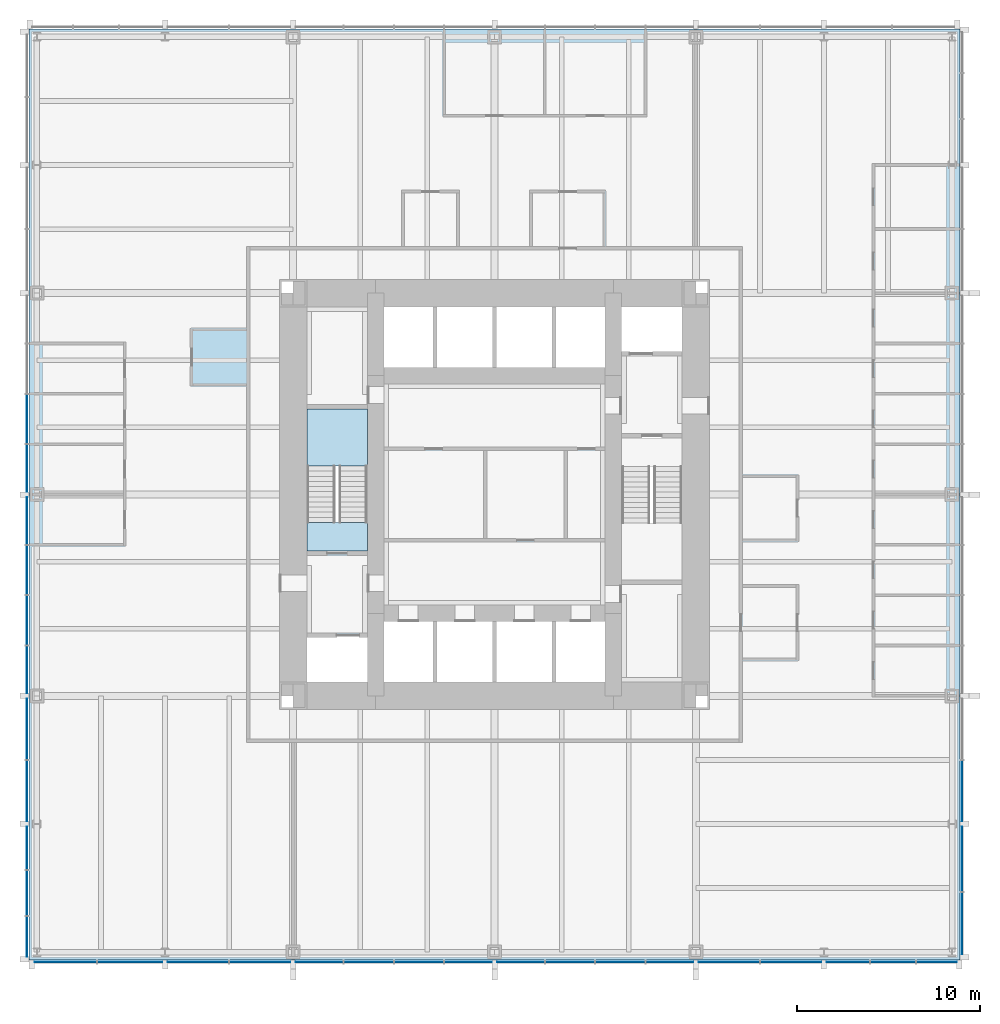
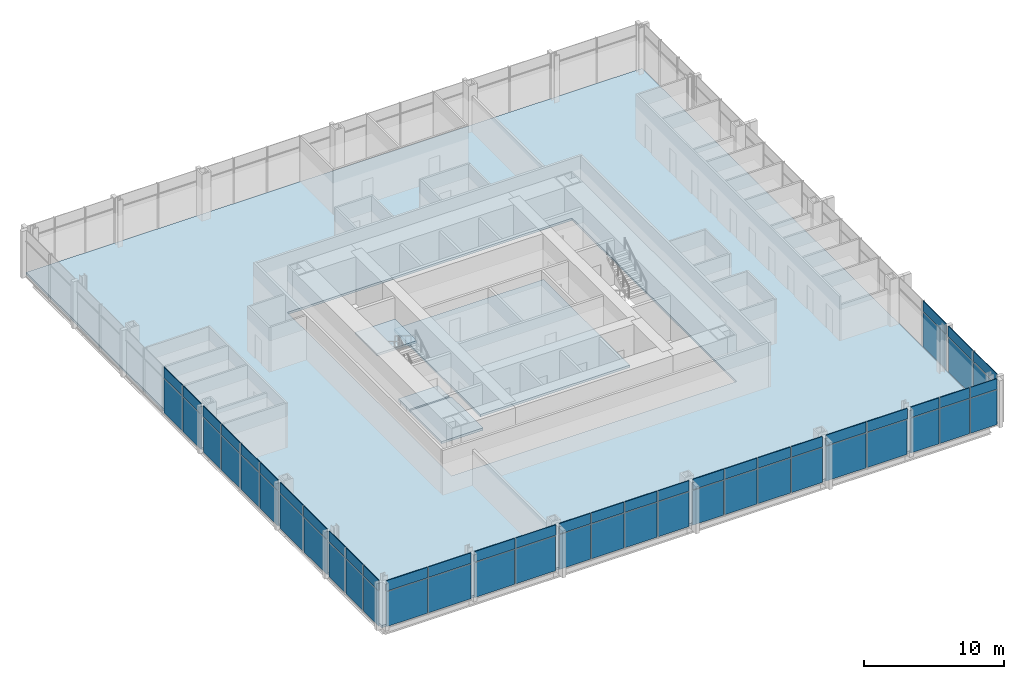
# One storey, part 7 of 12: 62 plates, 5 slabs, 4 elements without a shape of their own.
"""IFC4 building model written with IfcOpenShell, lengths in metres."""

import ifcopenshell
import ifcopenshell.guid

model = None  # the IFC model being written
_history = None  # IfcOwnerHistory: only IFC2X3 demands one
_inside = {}  # id of a spatial element -> (the spatial element, [elements in it])
_under = {}  # id of a project, library or spatial element -> (it, [spatial elements below it])
_declared = {}  # id of a project -> (the project, [libraries it declares])
_typed = {}  # id of a type object -> (the type object, [elements of that type])
_made_of = {}  # id of a material, layer set ... -> (it, [elements and type objects made of it])


def new_model(schema):
    """Start an empty IFC model of exactly this schema.

    Asked for "IFC4X3", IfcOpenShell would pick the latest addendum, in which some entities
    have other attributes; the version numbers below select the first issue.
    IFC2X3 requires an IfcOwnerHistory on every rooted entity: one is made here for all.
    """
    global model, _history
    if schema == "IFC4X3":
        model = ifcopenshell.file(schema_version=(4, 3, 0, 0))
    else:
        model = ifcopenshell.file(schema=schema)
    _inside.clear()
    _under.clear()
    _declared.clear()
    _typed.clear()
    _made_of.clear()
    _history = None
    if model.schema == "IFC2X3":
        org = make("IfcOrganization", Name="unknown")
        user = make(
            "IfcPersonAndOrganization",
            ThePerson=make("IfcPerson", FamilyName="unknown"),
            TheOrganization=org,
        )
        app = make(
            "IfcApplication",
            ApplicationDeveloper=org,
            Version="unknown",
            ApplicationFullName="unknown",
            ApplicationIdentifier="unknown",
        )
        _history = make(
            "IfcOwnerHistory",
            OwningUser=user,
            OwningApplication=app,
            ChangeAction="ADDED",
            CreationDate=0,
        )
    return model


def make(cls, **values):
    """One entity of the class cls with the attributes given. An attribute that is None is left unset."""
    return model.create_entity(
        cls, **{name: value for name, value in values.items() if value is not None}
    )


def rooted(cls, **values):
    """An entity with a GlobalId (a new one), such as an element, a storey or a relation."""
    return make(cls, GlobalId=ifcopenshell.guid.new(), OwnerHistory=_history, **values)


def si_unit(unit_type, name, prefix=None):
    """IfcSIUnit, for example si_unit("LENGTHUNIT", "METRE", prefix="MILLI")."""
    return make("IfcSIUnit", UnitType=unit_type, Prefix=prefix, Name=name)


def assignment(units):
    """IfcUnitAssignment: the units of a project."""
    return None if units is None else make("IfcUnitAssignment", Units=units)


def point(xyz):
    """IfcCartesianPoint."""
    return None if xyz is None else make("IfcCartesianPoint", Coordinates=xyz)


def direction(xyz):
    """IfcDirection."""
    return None if xyz is None else make("IfcDirection", DirectionRatios=xyz)


def frame(location, z_axis=None, x_axis=None):
    """IfcAxis2Placement3D, a coordinate frame: its origin and axes. An axis left out is left unset."""
    return make(
        "IfcAxis2Placement3D",
        Location=point(location),
        Axis=direction(z_axis),
        RefDirection=direction(x_axis),
    )


def frame_2d(location, x_axis=None):
    """IfcAxis2Placement2D, a coordinate frame in the plane: its origin and x axis."""
    return make(
        "IfcAxis2Placement2D", Location=point(location), RefDirection=direction(x_axis)
    )


def origin():
    """The frame at (0, 0, 0) with its axes left unset."""
    return frame((0.0, 0.0, 0.0))


def origin_2d():
    """The frame at (0, 0) in the plane with its x axis left unset."""
    return frame_2d((0.0, 0.0))


def place(relative_to, where):
    """IfcLocalPlacement: puts the frame where relative to a parent placement (None: the world)."""
    return make(
        "IfcLocalPlacement", PlacementRelTo=relative_to, RelativePlacement=where
    )


def context(
    kind, dimensions, precision=None, world=None, true_north=None, identifier=None
):
    """IfcGeometricRepresentationContext, for example the 3D "Model" context."""
    return make(
        "IfcGeometricRepresentationContext",
        ContextIdentifier=identifier,
        ContextType=kind,
        CoordinateSpaceDimension=dimensions,
        Precision=precision,
        WorldCoordinateSystem=world,
        TrueNorth=true_north,
    )


def subcontext(parent, identifier, kind, view, scale=None):
    """IfcGeometricRepresentationSubContext, for example "Body" below "Model"."""
    return make(
        "IfcGeometricRepresentationSubContext",
        ContextIdentifier=identifier,
        ContextType=kind,
        ParentContext=parent,
        TargetScale=scale,
        TargetView=view,
    )


def project(units=None, contexts=None):
    """IfcProject with its units and contexts."""
    return rooted(
        "IfcProject",
        Name="project",
        RepresentationContexts=contexts,
        UnitsInContext=assignment(units),
    )


def spatial(cls, under=None, at=None, **own):
    """A site, building, storey or space (cls), placed at a placement, below another one or the project."""
    s = rooted(cls, ObjectPlacement=at, **own)
    if under is not None:
        _under.setdefault(under.id(), (under, []))[1].append(s)
    return s


def polyline(points):
    """IfcPolyline through the points."""
    return make("IfcPolyline", Points=[point(p) for p in points])


def profile(cls, at=None, kind="AREA", **sizes):
    """A parametric profile (cls). Its sizes go by their IFC names, for example OverallWidth=200.0."""
    return make(cls, ProfileType=kind, Position=at, **sizes)


def rectangle(**sizes):
    """IfcRectangleProfileDef."""
    return profile("IfcRectangleProfileDef", **sizes)


def outline(outer, holes=None, kind="AREA"):
    """IfcArbitraryClosedProfileDef: a profile drawn as a closed curve; with holes, ...WithVoids."""
    if holes is None:
        return make("IfcArbitraryClosedProfileDef", ProfileType=kind, OuterCurve=outer)
    return make(
        "IfcArbitraryProfileDefWithVoids",
        ProfileType=kind,
        OuterCurve=outer,
        InnerCurves=holes,
    )


def extrude(swept, where, along, depth):
    """IfcExtrudedAreaSolid: the profile swept, set in the frame where, extruded along a direction by depth."""
    return make(
        "IfcExtrudedAreaSolid",
        SweptArea=swept,
        Position=where,
        ExtrudedDirection=direction(along),
        Depth=depth,
    )


def shape(context_of_items, identifier, shape_type, items):
    """IfcShapeRepresentation: the items that make up one representation, for example the "Body"."""
    return make(
        "IfcShapeRepresentation",
        ContextOfItems=context_of_items,
        RepresentationIdentifier=identifier,
        RepresentationType=shape_type,
        Items=items,
    )


def material(Name=None, Category=None):
    """IfcMaterial."""
    return make("IfcMaterial", Name=Name, Category=Category)


def layer(
    of_material, thickness, ventilated=None, Name=None, Category=None, Priority=None
):
    """IfcMaterialLayer: one layer of a wall or slab, of a material (None: an air gap)."""
    return make(
        "IfcMaterialLayer",
        Material=of_material,
        LayerThickness=thickness,
        IsVentilated=ventilated,
        Name=Name,
        Category=Category,
        Priority=Priority,
    )


def layer_set(layers, Name=None):
    """IfcMaterialLayerSet."""
    return make("IfcMaterialLayerSet", MaterialLayers=layers, LayerSetName=Name)


def made_of(thing, what):
    """Note that an element or type object is made of a material, layer set ...; save() writes the relation."""
    if what is not None:
        _made_of.setdefault(what.id(), (what, []))[1].append(thing)
    return thing


def type_object(cls, material=None, **own):
    """A type object (cls), such as IfcWallType, which elements share."""
    return made_of(rooted(cls, **own), material)


def element(
    cls,
    number,
    at=None,
    inside=None,
    cuts=None,
    type_object=None,
    material=None,
    context=None,
    identifier="Body",
    shape_type=None,
    held_by="IfcProductDefinitionShape",
    body=None,
    shapes=None,
    **own,
):
    """One element of the class cls, such as IfcWall. Its Tag is "e" and its number.

    at: its placement. inside: the storey or other place that contains it. cuts: it is an
    opening in that element (IfcRelVoidsElement). A single representation is given by context,
    identifier, shape_type and body (its items); several are given by shapes. held_by: the class
    of the entity that holds the representations. save() writes the other relations.
    """
    e = rooted(cls, Tag="e%d" % number, ObjectPlacement=at, **own)
    if body is not None:
        shapes = [shape(context, identifier, shape_type, body)]
    if shapes is not None:
        e.Representation = make(held_by, Representations=shapes)
    if inside is not None:
        _inside.setdefault(inside.id(), (inside, []))[1].append(e)
    if cuts is not None:
        rooted(
            "IfcRelVoidsElement", RelatingBuildingElement=cuts, RelatedOpeningElement=e
        )
    if type_object is not None:
        _typed.setdefault(type_object.id(), (type_object, []))[1].append(e)
    return made_of(e, material)


def aggregate(whole, parts):
    """IfcRelAggregates: a whole, such as a stair, and the parts it consists of."""
    return rooted("IfcRelAggregates", RelatingObject=whole, RelatedObjects=parts)


def save(model, path):
    """Write the relations noted so far, then the file.

    IfcRelAggregates (storeys below a building ...), IfcRelContainedInSpatialStructure (elements
    in a storey), IfcRelDefinesByType, IfcRelAssociatesMaterial and IfcRelDeclares: one each for
    every whole, place, type object, material and project.
    """
    for whole, parts in _under.values():
        aggregate(whole, parts)
    for where, things in _inside.values():
        rooted(
            "IfcRelContainedInSpatialStructure",
            RelatedElements=things,
            RelatingStructure=where,
        )
    for kind, things in _typed.values():
        rooted("IfcRelDefinesByType", RelatedObjects=things, RelatingType=kind)
    for what, things in _made_of.values():
        rooted("IfcRelAssociatesMaterial", RelatedObjects=things, RelatingMaterial=what)
    for by, libraries in _declared.values():
        rooted("IfcRelDeclares", RelatingContext=by, RelatedDefinitions=libraries)
    model.write(path)


model = new_model("IFC4")

# Units and contexts
model_context = context("Model", 3, precision=1e-05, world=origin(), true_north=direction((0.0, 1.0)))
body_context = subcontext(model_context, "Body", "Model", "MODEL_VIEW")
ifc_project = project(units=[si_unit("LENGTHUNIT", "METRE"), si_unit("AREAUNIT", "SQUARE_METRE"), si_unit("VOLUMEUNIT", "CUBIC_METRE"), si_unit("PLANEANGLEUNIT", "RADIAN"), si_unit("MASSUNIT", "GRAM", prefix="KILO")], contexts=[model_context])

# Site, building, storey
site_placement = place(None, origin())
site = spatial("IfcSite", under=ifc_project, at=site_placement, CompositionType="ELEMENT")
building_placement = place(site_placement, origin())
building = spatial("IfcBuilding", under=site, at=building_placement, Name="Trevanion Tower", CompositionType="ELEMENT")
storey_placement = place(building_placement, frame((0.0, 0.0, 52.89990234375)))
storey = spatial("IfcBuildingStorey", under=building, at=storey_placement, Name="L12", CompositionType="ELEMENT", Elevation=52.89990234375)

# Curtain wall, plates
ifc_material_1 = material(Name="Aluminium and glass", Category="aluminium")
curtain_wall_type = type_object("IfcCurtainWallType", Name="CW1 curtain wall", PredefinedType="USERDEFINED", material=ifc_material_1)
curtain_wall_1_placement = place(storey_placement, origin())
curtain_wall_1 = element("IfcCurtainWall", 1, at=curtain_wall_1_placement, inside=storey, type_object=curtain_wall_type, Name="CW1 L12 0", ObjectType="UNITISED CURTAIN WALL", PredefinedType="USERDEFINED")
ifc_material_2 = material(Name="Aluminium spandrel panel", Category="aluminium")
ifc_layer_1 = layer(ifc_material_2, 0.06005859375)
ifc_layer_set_1 = layer_set([ifc_layer_1], Name="CW1 spandrel panel")
plate_type_1 = type_object("IfcPlateType", Name="CW1 spandrel panel", PredefinedType="CURTAIN_PANEL", material=ifc_layer_set_1)
plate_1_placement = place(storey_placement, frame((25.550048828125, -23.433837890625, 2.99755859375), z_axis=(0.0, 0.0, 1.0), x_axis=(0.0, 1.0, 0.0)))
plate_1 = element("IfcPlate", 2, at=plate_1_placement, type_object=plate_type_1, Name="CW1 panel 1.2", PredefinedType="CURTAIN_PANEL", context=body_context, shape_type="SweptSolid", body=[
    extrude(rectangle(XDim=3.37255859375, YDim=0.06005859375, at=origin_2d()), origin(), (0.0, 0.0, 1.0), 0.91259765625),
])
plate_2_placement = place(storey_placement, frame((25.550048828125, -19.911376953125, 2.99755859375), z_axis=(0.0, 0.0, 1.0), x_axis=(0.0, 1.0, 0.0)))
plate_2 = element("IfcPlate", 3, at=plate_2_placement, type_object=plate_type_1, Name="CW1 panel 2.2", PredefinedType="CURTAIN_PANEL", context=body_context, shape_type="SweptSolid", body=[
    extrude(rectangle(XDim=3.5224609375, YDim=0.06005859375, at=origin_2d()), origin(), (0.0, 0.0, 1.0), 0.91259765625),
])
plate_3_placement = place(storey_placement, frame((25.550048828125, -16.19384765625, 2.99755859375), z_axis=(0.0, 0.0, 1.0), x_axis=(0.0, 1.0, 0.0)))
plate_3 = element("IfcPlate", 4, at=plate_3_placement, type_object=plate_type_1, Name="CW1 panel 3.2", PredefinedType="CURTAIN_PANEL", context=body_context, shape_type="SweptSolid", body=[
    extrude(rectangle(XDim=3.3125, YDim=0.06005859375, at=origin_2d()), origin(), (0.0, 0.0, 1.0), 0.91259765625),
])

curtain_wall_2_placement = place(storey_placement, origin())
curtain_wall_2 = element("IfcCurtainWall", 5, at=curtain_wall_2_placement, inside=storey, type_object=curtain_wall_type, Name="CW1 L12 2", ObjectType="UNITISED CURTAIN WALL", PredefinedType="USERDEFINED")
plate_4_placement = place(storey_placement, frame((-25.550048828125, 4.125, 2.99755859375), z_axis=(0.0, 0.0, 1.0), x_axis=(0.0, -1.0, 0.0)))
plate_4 = element("IfcPlate", 6, at=plate_4_placement, type_object=plate_type_1, Name="CW1 panel 7.2", PredefinedType="CURTAIN_PANEL", context=body_context, shape_type="SweptSolid", body=[
    extrude(rectangle(XDim=2.675048828125, YDim=0.06005859375, at=origin_2d()), origin(), (0.0, 0.0, 1.0), 0.91259765625),
])
plate_5_placement = place(storey_placement, frame((-25.550048828125, 1.43115234375, 2.99755859375), z_axis=(0.0, 0.0, 1.0), x_axis=(0.0, -1.0, 0.0)))
plate_5 = element("IfcPlate", 7, at=plate_5_placement, type_object=plate_type_1, Name="CW1 panel 8.2", PredefinedType="CURTAIN_PANEL", context=body_context, shape_type="SweptSolid", body=[
    extrude(rectangle(XDim=2.5625, YDim=0.06005859375, at=origin_2d()), origin(), (0.0, 0.0, 1.0), 0.91259765625),
])
plate_6_placement = place(storey_placement, frame((-25.550048828125, -1.43115234375, 2.99755859375), z_axis=(0.0, 0.0, 1.0), x_axis=(0.0, -1.0, 0.0)))
plate_6 = element("IfcPlate", 8, at=plate_6_placement, type_object=plate_type_1, Name="CW1 panel 9.2", PredefinedType="CURTAIN_PANEL", context=body_context, shape_type="SweptSolid", body=[
    extrude(rectangle(XDim=2.5625, YDim=0.06005859375, at=origin_2d()), origin(), (0.0, 0.0, 1.0), 0.91259765625),
])
plate_7_placement = place(storey_placement, frame((-25.550048828125, -4.125, 2.99755859375), z_axis=(0.0, 0.0, 1.0), x_axis=(0.0, -1.0, 0.0)))
plate_7 = element("IfcPlate", 9, at=plate_7_placement, type_object=plate_type_1, Name="CW1 panel 10.2", PredefinedType="CURTAIN_PANEL", context=body_context, shape_type="SweptSolid", body=[
    extrude(rectangle(XDim=2.675048828125, YDim=0.06005859375, at=origin_2d()), origin(), (0.0, 0.0, 1.0), 0.91259765625),
])
plate_8_placement = place(storey_placement, frame((-25.550048828125, -6.875, 2.99755859375), z_axis=(0.0, 0.0, 1.0), x_axis=(0.0, -1.0, 0.0)))
plate_8 = element("IfcPlate", 10, at=plate_8_placement, type_object=plate_type_1, Name="CW1 panel 11.2", PredefinedType="CURTAIN_PANEL", context=body_context, shape_type="SweptSolid", body=[
    extrude(rectangle(XDim=2.675048828125, YDim=0.06005859375, at=origin_2d()), origin(), (0.0, 0.0, 1.0), 0.91259765625),
])
plate_9_placement = place(storey_placement, frame((-25.550048828125, -9.56884765625, 2.99755859375), z_axis=(0.0, 0.0, 1.0), x_axis=(0.0, -1.0, 0.0)))
plate_9 = element("IfcPlate", 11, at=plate_9_placement, type_object=plate_type_1, Name="CW1 panel 12.2", PredefinedType="CURTAIN_PANEL", context=body_context, shape_type="SweptSolid", body=[
    extrude(rectangle(XDim=2.5625, YDim=0.06005859375, at=origin_2d()), origin(), (0.0, 0.0, 1.0), 0.91259765625),
])
plate_10_placement = place(storey_placement, frame((-25.550048828125, -12.80615234375, 2.99755859375), z_axis=(0.0, 0.0, 1.0), x_axis=(0.0, -1.0, 0.0)))
plate_10 = element("IfcPlate", 12, at=plate_10_placement, type_object=plate_type_1, Name="CW1 panel 13.2", PredefinedType="CURTAIN_PANEL", context=body_context, shape_type="SweptSolid", body=[
    extrude(rectangle(XDim=3.3125, YDim=0.06005859375, at=origin_2d()), origin(), (0.0, 0.0, 1.0), 0.91259765625),
])
plate_11_placement = place(storey_placement, frame((-25.550048828125, -16.19384765625, 2.99755859375), z_axis=(0.0, 0.0, 1.0), x_axis=(0.0, -1.0, 0.0)))
plate_11 = element("IfcPlate", 13, at=plate_11_placement, type_object=plate_type_1, Name="CW1 panel 14.2", PredefinedType="CURTAIN_PANEL", context=body_context, shape_type="SweptSolid", body=[
    extrude(rectangle(XDim=3.3125, YDim=0.06005859375, at=origin_2d()), origin(), (0.0, 0.0, 1.0), 0.91259765625),
])
plate_12_placement = place(storey_placement, frame((-25.550048828125, -19.314697265625, 2.99755859375), z_axis=(0.0, 0.0, 1.0), x_axis=(0.0, -1.0, 0.0)))
plate_12 = element("IfcPlate", 14, at=plate_12_placement, type_object=plate_type_1, Name="CW1 panel 15.2", PredefinedType="CURTAIN_PANEL", context=body_context, shape_type="SweptSolid", body=[
    extrude(rectangle(XDim=2.3291015625, YDim=0.06005859375, at=origin_2d()), origin(), (0.0, 0.0, 1.0), 0.91259765625),
])
plate_13_placement = place(storey_placement, frame((-25.550048828125, -21.77490234375, 2.99755859375), z_axis=(0.0, 0.0, 1.0), x_axis=(0.0, -1.0, 0.0)))
plate_13 = element("IfcPlate", 15, at=plate_13_placement, type_object=plate_type_1, Name="CW1 panel 16.2", PredefinedType="CURTAIN_PANEL", context=body_context, shape_type="SweptSolid", body=[
    extrude(rectangle(XDim=2.441650390625, YDim=0.06005859375, at=origin_2d()), origin(), (0.0, 0.0, 1.0), 0.91259765625),
])
plate_14_placement = place(storey_placement, frame((-25.550048828125, -24.160400390625, 2.99755859375), z_axis=(0.0, 0.0, 1.0), x_axis=(0.0, -1.0, 0.0)))
plate_14 = element("IfcPlate", 16, at=plate_14_placement, type_object=plate_type_1, Name="CW1 panel 17.2", PredefinedType="CURTAIN_PANEL", context=body_context, shape_type="SweptSolid", body=[
    extrude(rectangle(XDim=2.17919921875, YDim=0.06005859375, at=origin_2d()), origin(), (0.0, 0.0, 1.0), 0.91259765625),
])

curtain_wall_3_placement = place(storey_placement, origin())
curtain_wall_3 = element("IfcCurtainWall", 17, at=curtain_wall_3_placement, inside=storey, type_object=curtain_wall_type, Name="CW1 L12 3", ObjectType="UNITISED CURTAIN WALL", PredefinedType="USERDEFINED")
plate_15_placement = place(storey_placement, frame((-23.433837890625, -25.550048828125, 2.99755859375), z_axis=(0.0, 0.0, 1.0), x_axis=(1.0, 0.0, 0.0)))
plate_15 = element("IfcPlate", 18, at=plate_15_placement, type_object=plate_type_1, Name="CW1 panel 1.2", PredefinedType="CURTAIN_PANEL", context=body_context, shape_type="SweptSolid", body=[
    extrude(rectangle(XDim=3.37255859375, YDim=0.06005859375, at=origin_2d()), origin(), (0.0, 0.0, 1.0), 0.91259765625),
])
plate_16_placement = place(storey_placement, frame((-19.911376953125, -25.550048828125, 2.99755859375), z_axis=(0.0, 0.0, 1.0), x_axis=(1.0, 0.0, 0.0)))
plate_16 = element("IfcPlate", 19, at=plate_16_placement, type_object=plate_type_1, Name="CW1 panel 2.2", PredefinedType="CURTAIN_PANEL", context=body_context, shape_type="SweptSolid", body=[
    extrude(rectangle(XDim=3.5224609375, YDim=0.06005859375, at=origin_2d()), origin(), (0.0, 0.0, 1.0), 0.91259765625),
])
plate_17_placement = place(storey_placement, frame((-16.19384765625, -25.550048828125, 2.99755859375), z_axis=(0.0, 0.0, 1.0), x_axis=(1.0, 0.0, 0.0)))
plate_17 = element("IfcPlate", 20, at=plate_17_placement, type_object=plate_type_1, Name="CW1 panel 3.2", PredefinedType="CURTAIN_PANEL", context=body_context, shape_type="SweptSolid", body=[
    extrude(rectangle(XDim=3.3125, YDim=0.06005859375, at=origin_2d()), origin(), (0.0, 0.0, 1.0), 0.91259765625),
])
plate_18_placement = place(storey_placement, frame((-12.806396484375, -25.550048828125, 2.99755859375), z_axis=(0.0, 0.0, 1.0), x_axis=(1.0, 0.0, 0.0)))
plate_18 = element("IfcPlate", 21, at=plate_18_placement, type_object=plate_type_1, Name="CW1 panel 4.2", PredefinedType="CURTAIN_PANEL", context=body_context, shape_type="SweptSolid", body=[
    extrude(rectangle(XDim=3.3125, YDim=0.06005859375, at=origin_2d()), origin(), (0.0, 0.0, 1.0), 0.91259765625),
])
plate_19_placement = place(storey_placement, frame((-9.56884765625, -25.550048828125, 2.99755859375), z_axis=(0.0, 0.0, 1.0), x_axis=(1.0, 0.0, 0.0)))
plate_19 = element("IfcPlate", 22, at=plate_19_placement, type_object=plate_type_1, Name="CW1 panel 5.2", PredefinedType="CURTAIN_PANEL", context=body_context, shape_type="SweptSolid", body=[
    extrude(rectangle(XDim=2.5625, YDim=0.06005859375, at=origin_2d()), origin(), (0.0, 0.0, 1.0), 0.91259765625),
])
plate_20_placement = place(storey_placement, frame((-6.875, -25.550048828125, 2.99755859375), z_axis=(0.0, 0.0, 1.0), x_axis=(1.0, 0.0, 0.0)))
plate_20 = element("IfcPlate", 23, at=plate_20_placement, type_object=plate_type_1, Name="CW1 panel 6.2", PredefinedType="CURTAIN_PANEL", context=body_context, shape_type="SweptSolid", body=[
    extrude(rectangle(XDim=2.675048828125, YDim=0.06005859375, at=origin_2d()), origin(), (0.0, 0.0, 1.0), 0.91259765625),
])
plate_21_placement = place(storey_placement, frame((-4.125, -25.550048828125, 2.99755859375), z_axis=(0.0, 0.0, 1.0), x_axis=(1.0, 0.0, 0.0)))
plate_21 = element("IfcPlate", 24, at=plate_21_placement, type_object=plate_type_1, Name="CW1 panel 7.2", PredefinedType="CURTAIN_PANEL", context=body_context, shape_type="SweptSolid", body=[
    extrude(rectangle(XDim=2.675048828125, YDim=0.06005859375, at=origin_2d()), origin(), (0.0, 0.0, 1.0), 0.91259765625),
])
plate_22_placement = place(storey_placement, frame((-1.43115234375, -25.550048828125, 2.99755859375), z_axis=(0.0, 0.0, 1.0), x_axis=(1.0, 0.0, 0.0)))
plate_22 = element("IfcPlate", 25, at=plate_22_placement, type_object=plate_type_1, Name="CW1 panel 8.2", PredefinedType="CURTAIN_PANEL", context=body_context, shape_type="SweptSolid", body=[
    extrude(rectangle(XDim=2.5625, YDim=0.06005859375, at=origin_2d()), origin(), (0.0, 0.0, 1.0), 0.91259765625),
])
plate_23_placement = place(storey_placement, frame((1.43115234375, -25.550048828125, 2.99755859375), z_axis=(0.0, 0.0, 1.0), x_axis=(1.0, 0.0, 0.0)))
plate_23 = element("IfcPlate", 26, at=plate_23_placement, type_object=plate_type_1, Name="CW1 panel 9.2", PredefinedType="CURTAIN_PANEL", context=body_context, shape_type="SweptSolid", body=[
    extrude(rectangle(XDim=2.5625, YDim=0.06005859375, at=origin_2d()), origin(), (0.0, 0.0, 1.0), 0.91259765625),
])
plate_24_placement = place(storey_placement, frame((4.125, -25.550048828125, 2.99755859375), z_axis=(0.0, 0.0, 1.0), x_axis=(1.0, 0.0, 0.0)))
plate_24 = element("IfcPlate", 27, at=plate_24_placement, type_object=plate_type_1, Name="CW1 panel 10.2", PredefinedType="CURTAIN_PANEL", context=body_context, shape_type="SweptSolid", body=[
    extrude(rectangle(XDim=2.675048828125, YDim=0.06005859375, at=origin_2d()), origin(), (0.0, 0.0, 1.0), 0.91259765625),
])
plate_25_placement = place(storey_placement, frame((6.875, -25.550048828125, 2.99755859375), z_axis=(0.0, 0.0, 1.0), x_axis=(1.0, 0.0, 0.0)))
plate_25 = element("IfcPlate", 28, at=plate_25_placement, type_object=plate_type_1, Name="CW1 panel 11.2", PredefinedType="CURTAIN_PANEL", context=body_context, shape_type="SweptSolid", body=[
    extrude(rectangle(XDim=2.675048828125, YDim=0.06005859375, at=origin_2d()), origin(), (0.0, 0.0, 1.0), 0.91259765625),
])
plate_26_placement = place(storey_placement, frame((9.56884765625, -25.550048828125, 2.99755859375), z_axis=(0.0, 0.0, 1.0), x_axis=(1.0, 0.0, 0.0)))
plate_26 = element("IfcPlate", 29, at=plate_26_placement, type_object=plate_type_1, Name="CW1 panel 12.2", PredefinedType="CURTAIN_PANEL", context=body_context, shape_type="SweptSolid", body=[
    extrude(rectangle(XDim=2.5625, YDim=0.06005859375, at=origin_2d()), origin(), (0.0, 0.0, 1.0), 0.91259765625),
])
plate_27_placement = place(storey_placement, frame((12.80615234375, -25.550048828125, 2.99755859375), z_axis=(0.0, 0.0, 1.0), x_axis=(1.0, 0.0, 0.0)))
plate_27 = element("IfcPlate", 30, at=plate_27_placement, type_object=plate_type_1, Name="CW1 panel 13.2", PredefinedType="CURTAIN_PANEL", context=body_context, shape_type="SweptSolid", body=[
    extrude(rectangle(XDim=3.3125, YDim=0.06005859375, at=origin_2d()), origin(), (0.0, 0.0, 1.0), 0.91259765625),
])
plate_28_placement = place(storey_placement, frame((16.19384765625, -25.550048828125, 2.99755859375), z_axis=(0.0, 0.0, 1.0), x_axis=(1.0, 0.0, 0.0)))
plate_28 = element("IfcPlate", 31, at=plate_28_placement, type_object=plate_type_1, Name="CW1 panel 14.2", PredefinedType="CURTAIN_PANEL", context=body_context, shape_type="SweptSolid", body=[
    extrude(rectangle(XDim=3.3125, YDim=0.06005859375, at=origin_2d()), origin(), (0.0, 0.0, 1.0), 0.91259765625),
])
plate_29_placement = place(storey_placement, frame((19.314697265625, -25.550048828125, 2.99755859375), z_axis=(0.0, 0.0, 1.0), x_axis=(1.0, 0.0, 0.0)))
plate_29 = element("IfcPlate", 32, at=plate_29_placement, type_object=plate_type_1, Name="CW1 panel 15.2", PredefinedType="CURTAIN_PANEL", context=body_context, shape_type="SweptSolid", body=[
    extrude(rectangle(XDim=2.3291015625, YDim=0.06005859375, at=origin_2d()), origin(), (0.0, 0.0, 1.0), 0.91259765625),
])
plate_30_placement = place(storey_placement, frame((21.77490234375, -25.550048828125, 2.99755859375), z_axis=(0.0, 0.0, 1.0), x_axis=(1.0, 0.0, 0.0)))
plate_30 = element("IfcPlate", 33, at=plate_30_placement, type_object=plate_type_1, Name="CW1 panel 16.2", PredefinedType="CURTAIN_PANEL", context=body_context, shape_type="SweptSolid", body=[
    extrude(rectangle(XDim=2.441650390625, YDim=0.06005859375, at=origin_2d()), origin(), (0.0, 0.0, 1.0), 0.91259765625),
])
plate_31_placement = place(storey_placement, frame((24.160400390625, -25.550048828125, 2.99755859375), z_axis=(0.0, 0.0, 1.0), x_axis=(1.0, 0.0, 0.0)))
plate_31 = element("IfcPlate", 34, at=plate_31_placement, type_object=plate_type_1, Name="CW1 panel 17.2", PredefinedType="CURTAIN_PANEL", context=body_context, shape_type="SweptSolid", body=[
    extrude(rectangle(XDim=2.17919921875, YDim=0.06005859375, at=origin_2d()), origin(), (0.0, 0.0, 1.0), 0.91259765625),
])

# Plate
ifc_material_3 = material(Name="Insulating glass unit", Category="glass")
ifc_layer_2 = layer(ifc_material_3, 0.028076171875)
ifc_layer_set_2 = layer_set([ifc_layer_2], Name="CW1 vision panel")
plate_type_2 = type_object("IfcPlateType", Name="CW1 vision panel", PredefinedType="CURTAIN_PANEL", material=ifc_layer_set_2)
plate_32_placement = place(storey_placement, frame((25.550048828125, -23.433837890625, -0.114990234375), z_axis=(0.0, 0.0, 1.0), x_axis=(0.0, 1.0, 0.0)))
plate_32 = element("IfcPlate", 35, at=plate_32_placement, type_object=plate_type_2, Name="CW1 panel 1.1", PredefinedType="CURTAIN_PANEL", context=body_context, shape_type="SweptSolid", body=[
    extrude(rectangle(XDim=3.37255859375, YDim=0.028076171875, at=origin_2d()), origin(), (0.0, 0.0, 1.0), 3.03759765625),
])

plate_33_placement = place(storey_placement, frame((25.550048828125, -19.911376953125, -0.114990234375), z_axis=(0.0, 0.0, 1.0), x_axis=(0.0, 1.0, 0.0)))
plate_33 = element("IfcPlate", 36, at=plate_33_placement, type_object=plate_type_2, Name="CW1 panel 2.1", PredefinedType="CURTAIN_PANEL", context=body_context, shape_type="SweptSolid", body=[
    extrude(rectangle(XDim=3.5224609375, YDim=0.028076171875, at=origin_2d()), origin(), (0.0, 0.0, 1.0), 3.03759765625),
])

plate_34_placement = place(storey_placement, frame((25.550048828125, -16.19384765625, -0.114990234375), z_axis=(0.0, 0.0, 1.0), x_axis=(0.0, 1.0, 0.0)))
plate_34 = element("IfcPlate", 37, at=plate_34_placement, type_object=plate_type_2, Name="CW1 panel 3.1", PredefinedType="CURTAIN_PANEL", context=body_context, shape_type="SweptSolid", body=[
    extrude(rectangle(XDim=3.3125, YDim=0.028076171875, at=origin_2d()), origin(), (0.0, 0.0, 1.0), 3.03759765625),
])

aggregate(curtain_wall_1, [plate_32, plate_1, plate_33, plate_2, plate_34, plate_3])

plate_35_placement = place(storey_placement, frame((-25.550048828125, 4.125, -0.114990234375), z_axis=(0.0, 0.0, 1.0), x_axis=(0.0, -1.0, 0.0)))
plate_35 = element("IfcPlate", 38, at=plate_35_placement, type_object=plate_type_2, Name="CW1 panel 7.1", PredefinedType="CURTAIN_PANEL", context=body_context, shape_type="SweptSolid", body=[
    extrude(rectangle(XDim=2.675048828125, YDim=0.028076171875, at=origin_2d()), origin(), (0.0, 0.0, 1.0), 3.03759765625),
])

plate_36_placement = place(storey_placement, frame((-25.550048828125, 1.43115234375, -0.114990234375), z_axis=(0.0, 0.0, 1.0), x_axis=(0.0, -1.0, 0.0)))
plate_36 = element("IfcPlate", 39, at=plate_36_placement, type_object=plate_type_2, Name="CW1 panel 8.1", PredefinedType="CURTAIN_PANEL", context=body_context, shape_type="SweptSolid", body=[
    extrude(rectangle(XDim=2.5625, YDim=0.028076171875, at=origin_2d()), origin(), (0.0, 0.0, 1.0), 3.03759765625),
])

plate_37_placement = place(storey_placement, frame((-25.550048828125, -1.43115234375, -0.114990234375), z_axis=(0.0, 0.0, 1.0), x_axis=(0.0, -1.0, 0.0)))
plate_37 = element("IfcPlate", 40, at=plate_37_placement, type_object=plate_type_2, Name="CW1 panel 9.1", PredefinedType="CURTAIN_PANEL", context=body_context, shape_type="SweptSolid", body=[
    extrude(rectangle(XDim=2.5625, YDim=0.028076171875, at=origin_2d()), origin(), (0.0, 0.0, 1.0), 3.03759765625),
])

plate_38_placement = place(storey_placement, frame((-25.550048828125, -4.125, -0.114990234375), z_axis=(0.0, 0.0, 1.0), x_axis=(0.0, -1.0, 0.0)))
plate_38 = element("IfcPlate", 41, at=plate_38_placement, type_object=plate_type_2, Name="CW1 panel 10.1", PredefinedType="CURTAIN_PANEL", context=body_context, shape_type="SweptSolid", body=[
    extrude(rectangle(XDim=2.675048828125, YDim=0.028076171875, at=origin_2d()), origin(), (0.0, 0.0, 1.0), 3.03759765625),
])

plate_39_placement = place(storey_placement, frame((-25.550048828125, -6.875, -0.114990234375), z_axis=(0.0, 0.0, 1.0), x_axis=(0.0, -1.0, 0.0)))
plate_39 = element("IfcPlate", 42, at=plate_39_placement, type_object=plate_type_2, Name="CW1 panel 11.1", PredefinedType="CURTAIN_PANEL", context=body_context, shape_type="SweptSolid", body=[
    extrude(rectangle(XDim=2.675048828125, YDim=0.028076171875, at=origin_2d()), origin(), (0.0, 0.0, 1.0), 3.03759765625),
])

plate_40_placement = place(storey_placement, frame((-25.550048828125, -9.56884765625, -0.114990234375), z_axis=(0.0, 0.0, 1.0), x_axis=(0.0, -1.0, 0.0)))
plate_40 = element("IfcPlate", 43, at=plate_40_placement, type_object=plate_type_2, Name="CW1 panel 12.1", PredefinedType="CURTAIN_PANEL", context=body_context, shape_type="SweptSolid", body=[
    extrude(rectangle(XDim=2.5625, YDim=0.028076171875, at=origin_2d()), origin(), (0.0, 0.0, 1.0), 3.03759765625),
])

plate_41_placement = place(storey_placement, frame((-25.550048828125, -12.80615234375, -0.114990234375), z_axis=(0.0, 0.0, 1.0), x_axis=(0.0, -1.0, 0.0)))
plate_41 = element("IfcPlate", 44, at=plate_41_placement, type_object=plate_type_2, Name="CW1 panel 13.1", PredefinedType="CURTAIN_PANEL", context=body_context, shape_type="SweptSolid", body=[
    extrude(rectangle(XDim=3.3125, YDim=0.028076171875, at=origin_2d()), origin(), (0.0, 0.0, 1.0), 3.03759765625),
])

plate_42_placement = place(storey_placement, frame((-25.550048828125, -16.19384765625, -0.114990234375), z_axis=(0.0, 0.0, 1.0), x_axis=(0.0, -1.0, 0.0)))
plate_42 = element("IfcPlate", 45, at=plate_42_placement, type_object=plate_type_2, Name="CW1 panel 14.1", PredefinedType="CURTAIN_PANEL", context=body_context, shape_type="SweptSolid", body=[
    extrude(rectangle(XDim=3.3125, YDim=0.028076171875, at=origin_2d()), origin(), (0.0, 0.0, 1.0), 3.03759765625),
])

plate_43_placement = place(storey_placement, frame((-25.550048828125, -19.314697265625, -0.114990234375), z_axis=(0.0, 0.0, 1.0), x_axis=(0.0, -1.0, 0.0)))
plate_43 = element("IfcPlate", 46, at=plate_43_placement, type_object=plate_type_2, Name="CW1 panel 15.1", PredefinedType="CURTAIN_PANEL", context=body_context, shape_type="SweptSolid", body=[
    extrude(rectangle(XDim=2.3291015625, YDim=0.028076171875, at=origin_2d()), origin(), (0.0, 0.0, 1.0), 3.03759765625),
])

plate_44_placement = place(storey_placement, frame((-25.550048828125, -21.77490234375, -0.114990234375), z_axis=(0.0, 0.0, 1.0), x_axis=(0.0, -1.0, 0.0)))
plate_44 = element("IfcPlate", 47, at=plate_44_placement, type_object=plate_type_2, Name="CW1 panel 16.1", PredefinedType="CURTAIN_PANEL", context=body_context, shape_type="SweptSolid", body=[
    extrude(rectangle(XDim=2.441650390625, YDim=0.028076171875, at=origin_2d()), origin(), (0.0, 0.0, 1.0), 3.03759765625),
])

plate_45_placement = place(storey_placement, frame((-25.550048828125, -24.160400390625, -0.114990234375), z_axis=(0.0, 0.0, 1.0), x_axis=(0.0, -1.0, 0.0)))
plate_45 = element("IfcPlate", 48, at=plate_45_placement, type_object=plate_type_2, Name="CW1 panel 17.1", PredefinedType="CURTAIN_PANEL", context=body_context, shape_type="SweptSolid", body=[
    extrude(rectangle(XDim=2.17919921875, YDim=0.028076171875, at=origin_2d()), origin(), (0.0, 0.0, 1.0), 3.03759765625),
])

aggregate(curtain_wall_2, [plate_35, plate_4, plate_36, plate_5, plate_37, plate_6, plate_38, plate_7, plate_39, plate_8, plate_40, plate_9, plate_41, plate_10, plate_42, plate_11, plate_43, plate_12, plate_44, plate_13, plate_45, plate_14])

plate_46_placement = place(storey_placement, frame((-23.433837890625, -25.550048828125, -0.114990234375), z_axis=(0.0, 0.0, 1.0), x_axis=(1.0, 0.0, 0.0)))
plate_46 = element("IfcPlate", 49, at=plate_46_placement, type_object=plate_type_2, Name="CW1 panel 1.1", PredefinedType="CURTAIN_PANEL", context=body_context, shape_type="SweptSolid", body=[
    extrude(rectangle(XDim=3.37255859375, YDim=0.028076171875, at=origin_2d()), origin(), (0.0, 0.0, 1.0), 3.03759765625),
])

plate_47_placement = place(storey_placement, frame((-19.911376953125, -25.550048828125, -0.114990234375), z_axis=(0.0, 0.0, 1.0), x_axis=(1.0, 0.0, 0.0)))
plate_47 = element("IfcPlate", 50, at=plate_47_placement, type_object=plate_type_2, Name="CW1 panel 2.1", PredefinedType="CURTAIN_PANEL", context=body_context, shape_type="SweptSolid", body=[
    extrude(rectangle(XDim=3.5224609375, YDim=0.028076171875, at=origin_2d()), origin(), (0.0, 0.0, 1.0), 3.03759765625),
])

plate_48_placement = place(storey_placement, frame((-16.19384765625, -25.550048828125, -0.114990234375), z_axis=(0.0, 0.0, 1.0), x_axis=(1.0, 0.0, 0.0)))
plate_48 = element("IfcPlate", 51, at=plate_48_placement, type_object=plate_type_2, Name="CW1 panel 3.1", PredefinedType="CURTAIN_PANEL", context=body_context, shape_type="SweptSolid", body=[
    extrude(rectangle(XDim=3.3125, YDim=0.028076171875, at=origin_2d()), origin(), (0.0, 0.0, 1.0), 3.03759765625),
])

plate_49_placement = place(storey_placement, frame((-12.806396484375, -25.550048828125, -0.114990234375), z_axis=(0.0, 0.0, 1.0), x_axis=(1.0, 0.0, 0.0)))
plate_49 = element("IfcPlate", 52, at=plate_49_placement, type_object=plate_type_2, Name="CW1 panel 4.1", PredefinedType="CURTAIN_PANEL", context=body_context, shape_type="SweptSolid", body=[
    extrude(rectangle(XDim=3.3125, YDim=0.028076171875, at=origin_2d()), origin(), (0.0, 0.0, 1.0), 3.03759765625),
])

plate_50_placement = place(storey_placement, frame((-9.56884765625, -25.550048828125, -0.114990234375), z_axis=(0.0, 0.0, 1.0), x_axis=(1.0, 0.0, 0.0)))
plate_50 = element("IfcPlate", 53, at=plate_50_placement, type_object=plate_type_2, Name="CW1 panel 5.1", PredefinedType="CURTAIN_PANEL", context=body_context, shape_type="SweptSolid", body=[
    extrude(rectangle(XDim=2.5625, YDim=0.028076171875, at=origin_2d()), origin(), (0.0, 0.0, 1.0), 3.03759765625),
])

plate_51_placement = place(storey_placement, frame((-6.875, -25.550048828125, -0.114990234375), z_axis=(0.0, 0.0, 1.0), x_axis=(1.0, 0.0, 0.0)))
plate_51 = element("IfcPlate", 54, at=plate_51_placement, type_object=plate_type_2, Name="CW1 panel 6.1", PredefinedType="CURTAIN_PANEL", context=body_context, shape_type="SweptSolid", body=[
    extrude(rectangle(XDim=2.675048828125, YDim=0.028076171875, at=origin_2d()), origin(), (0.0, 0.0, 1.0), 3.03759765625),
])

plate_52_placement = place(storey_placement, frame((-4.125, -25.550048828125, -0.114990234375), z_axis=(0.0, 0.0, 1.0), x_axis=(1.0, 0.0, 0.0)))
plate_52 = element("IfcPlate", 55, at=plate_52_placement, type_object=plate_type_2, Name="CW1 panel 7.1", PredefinedType="CURTAIN_PANEL", context=body_context, shape_type="SweptSolid", body=[
    extrude(rectangle(XDim=2.675048828125, YDim=0.028076171875, at=origin_2d()), origin(), (0.0, 0.0, 1.0), 3.03759765625),
])

plate_53_placement = place(storey_placement, frame((-1.43115234375, -25.550048828125, -0.114990234375), z_axis=(0.0, 0.0, 1.0), x_axis=(1.0, 0.0, 0.0)))
plate_53 = element("IfcPlate", 56, at=plate_53_placement, type_object=plate_type_2, Name="CW1 panel 8.1", PredefinedType="CURTAIN_PANEL", context=body_context, shape_type="SweptSolid", body=[
    extrude(rectangle(XDim=2.5625, YDim=0.028076171875, at=origin_2d()), origin(), (0.0, 0.0, 1.0), 3.03759765625),
])

plate_54_placement = place(storey_placement, frame((1.43115234375, -25.550048828125, -0.114990234375), z_axis=(0.0, 0.0, 1.0), x_axis=(1.0, 0.0, 0.0)))
plate_54 = element("IfcPlate", 57, at=plate_54_placement, type_object=plate_type_2, Name="CW1 panel 9.1", PredefinedType="CURTAIN_PANEL", context=body_context, shape_type="SweptSolid", body=[
    extrude(rectangle(XDim=2.5625, YDim=0.028076171875, at=origin_2d()), origin(), (0.0, 0.0, 1.0), 3.03759765625),
])

plate_55_placement = place(storey_placement, frame((4.125, -25.550048828125, -0.114990234375), z_axis=(0.0, 0.0, 1.0), x_axis=(1.0, 0.0, 0.0)))
plate_55 = element("IfcPlate", 58, at=plate_55_placement, type_object=plate_type_2, Name="CW1 panel 10.1", PredefinedType="CURTAIN_PANEL", context=body_context, shape_type="SweptSolid", body=[
    extrude(rectangle(XDim=2.675048828125, YDim=0.028076171875, at=origin_2d()), origin(), (0.0, 0.0, 1.0), 3.03759765625),
])

plate_56_placement = place(storey_placement, frame((6.875, -25.550048828125, -0.114990234375), z_axis=(0.0, 0.0, 1.0), x_axis=(1.0, 0.0, 0.0)))
plate_56 = element("IfcPlate", 59, at=plate_56_placement, type_object=plate_type_2, Name="CW1 panel 11.1", PredefinedType="CURTAIN_PANEL", context=body_context, shape_type="SweptSolid", body=[
    extrude(rectangle(XDim=2.675048828125, YDim=0.028076171875, at=origin_2d()), origin(), (0.0, 0.0, 1.0), 3.03759765625),
])

plate_57_placement = place(storey_placement, frame((9.56884765625, -25.550048828125, -0.114990234375), z_axis=(0.0, 0.0, 1.0), x_axis=(1.0, 0.0, 0.0)))
plate_57 = element("IfcPlate", 60, at=plate_57_placement, type_object=plate_type_2, Name="CW1 panel 12.1", PredefinedType="CURTAIN_PANEL", context=body_context, shape_type="SweptSolid", body=[
    extrude(rectangle(XDim=2.5625, YDim=0.028076171875, at=origin_2d()), origin(), (0.0, 0.0, 1.0), 3.03759765625),
])

plate_58_placement = place(storey_placement, frame((12.80615234375, -25.550048828125, -0.114990234375), z_axis=(0.0, 0.0, 1.0), x_axis=(1.0, 0.0, 0.0)))
plate_58 = element("IfcPlate", 61, at=plate_58_placement, type_object=plate_type_2, Name="CW1 panel 13.1", PredefinedType="CURTAIN_PANEL", context=body_context, shape_type="SweptSolid", body=[
    extrude(rectangle(XDim=3.3125, YDim=0.028076171875, at=origin_2d()), origin(), (0.0, 0.0, 1.0), 3.03759765625),
])

plate_59_placement = place(storey_placement, frame((16.19384765625, -25.550048828125, -0.114990234375), z_axis=(0.0, 0.0, 1.0), x_axis=(1.0, 0.0, 0.0)))
plate_59 = element("IfcPlate", 62, at=plate_59_placement, type_object=plate_type_2, Name="CW1 panel 14.1", PredefinedType="CURTAIN_PANEL", context=body_context, shape_type="SweptSolid", body=[
    extrude(rectangle(XDim=3.3125, YDim=0.028076171875, at=origin_2d()), origin(), (0.0, 0.0, 1.0), 3.03759765625),
])

plate_60_placement = place(storey_placement, frame((19.314697265625, -25.550048828125, -0.114990234375), z_axis=(0.0, 0.0, 1.0), x_axis=(1.0, 0.0, 0.0)))
plate_60 = element("IfcPlate", 63, at=plate_60_placement, type_object=plate_type_2, Name="CW1 panel 15.1", PredefinedType="CURTAIN_PANEL", context=body_context, shape_type="SweptSolid", body=[
    extrude(rectangle(XDim=2.3291015625, YDim=0.028076171875, at=origin_2d()), origin(), (0.0, 0.0, 1.0), 3.03759765625),
])

plate_61_placement = place(storey_placement, frame((21.77490234375, -25.550048828125, -0.114990234375), z_axis=(0.0, 0.0, 1.0), x_axis=(1.0, 0.0, 0.0)))
plate_61 = element("IfcPlate", 64, at=plate_61_placement, type_object=plate_type_2, Name="CW1 panel 16.1", PredefinedType="CURTAIN_PANEL", context=body_context, shape_type="SweptSolid", body=[
    extrude(rectangle(XDim=2.441650390625, YDim=0.028076171875, at=origin_2d()), origin(), (0.0, 0.0, 1.0), 3.03759765625),
])

plate_62_placement = place(storey_placement, frame((24.160400390625, -25.550048828125, -0.114990234375), z_axis=(0.0, 0.0, 1.0), x_axis=(1.0, 0.0, 0.0)))
plate_62 = element("IfcPlate", 65, at=plate_62_placement, type_object=plate_type_2, Name="CW1 panel 17.1", PredefinedType="CURTAIN_PANEL", context=body_context, shape_type="SweptSolid", body=[
    extrude(rectangle(XDim=2.17919921875, YDim=0.028076171875, at=origin_2d()), origin(), (0.0, 0.0, 1.0), 3.03759765625),
])

aggregate(curtain_wall_3, [plate_46, plate_15, plate_47, plate_16, plate_48, plate_17, plate_49, plate_18, plate_50, plate_19, plate_51, plate_20, plate_52, plate_21, plate_53, plate_22, plate_54, plate_23, plate_55, plate_24, plate_56, plate_25, plate_57, plate_26, plate_58, plate_27, plate_59, plate_28, plate_60, plate_29, plate_61, plate_30, plate_62, plate_31])

# Slabs
ifc_material_4 = material(Name="Concrete 5,000 psi on composite metal deck", Category="concrete")
ifc_layer_3 = layer(ifc_material_4, 0.18994140625)
ifc_layer_set_3 = layer_set([ifc_layer_3], Name="SL1 composite floor 190")
slab_type_1 = type_object("IfcSlabType", Name="SL1 composite floor 190", PredefinedType="FLOOR", material=ifc_layer_set_3)
slab_1_placement = place(storey_placement, frame((0.0, 0.0, -0.18994140625)))
element("IfcSlab", 66, at=slab_1_placement, inside=storey, type_object=slab_type_1, Name="SL1 L12 floor", PredefinedType="FLOOR", context=body_context, shape_type="SweptSolid", body=[
    extrude(outline(polyline([(25.419921875, -25.419921875), (25.419921875, 25.419921875), (-25.419921875, 25.419921875), (-25.419921875, -25.419921875), (25.419921875, -25.419921875)]), holes=[polyline([(11.75, -11.75), (11.75, 11.75), (-11.75, 11.75), (-11.75, -11.75), (11.75, -11.75)])]), origin(), (0.0, 0.0, 1.0), 0.18994140625),
])
ifc_material_5 = material(Name="Concrete 5,000 psi", Category="concrete")
ifc_layer_4 = layer(ifc_material_5, 0.199951171875)
ifc_layer_set_4 = layer_set([ifc_layer_4], Name="SL2 core floor 200")
slab_type_2 = type_object("IfcSlabType", Name="SL2 core floor 200", PredefinedType="FLOOR", material=ifc_layer_set_4)
slab_2_placement = place(storey_placement, frame((0.0, 0.0, -0.199951171875)))
element("IfcSlab", 67, at=slab_2_placement, inside=storey, type_object=slab_type_2, Name="SL2 L12 core floor 2", PredefinedType="FLOOR", context=body_context, shape_type="SweptSolid", body=[
    extrude(outline(polyline([(-6.830078125, -3.205078125), (-6.830078125, -7.695068359375), (-10.25, -7.695068359375), (-10.25, -3.205078125), (-6.830078125, -3.205078125)])), origin(), (0.0, 0.0, 1.0), 0.199951171875),
])
slab_3_placement = place(storey_placement, frame((0.0, 0.0, -0.199951171875)))
element("IfcSlab", 68, at=slab_3_placement, inside=storey, type_object=slab_type_2, Name="SL2 L12 core floor 3", PredefinedType="FLOOR", context=body_context, shape_type="SweptSolid", body=[
    extrude(outline(polyline([(6.169921875, -6.169921875), (-6.169921875, -6.169921875), (-6.169921875, 6.169921875), (6.169921875, 6.169921875), (6.169921875, -6.169921875)])), origin(), (0.0, 0.0, 1.0), 0.199951171875),
])

# Stair, slabs
ifc_material_6 = material(Name="Concrete 5,000 psi on steel stringers", Category="concrete")
stair_type = type_object("IfcStairType", Name="ST stair", PredefinedType="HALF_TURN_STAIR", material=ifc_material_6)
stair_placement = place(storey_placement, origin())
stair = element("IfcStair", 69, at=stair_placement, inside=storey, type_object=stair_type, Name="ST2 L12", PredefinedType="HALF_TURN_STAIR")
ifc_material_7 = material(Name="Concrete 5,000 psi in steel pan", Category="concrete")
ifc_layer_5 = layer(ifc_material_7, 0.199951171875)
ifc_layer_set_5 = layer_set([ifc_layer_5], Name="STL stair landing 200")
slab_type_3 = type_object("IfcSlabType", Name="STL stair landing 200", PredefinedType="LANDING", material=ifc_layer_set_5)
slab_4_placement = place(storey_placement, frame((0.0, 0.0, -0.199951171875)))
slab_4 = element("IfcSlab", 70, at=slab_4_placement, type_object=slab_type_3, Name="ST2 landing 1", PredefinedType="LANDING", context=body_context, shape_type="SweptSolid", body=[
    extrude(outline(polyline([(-6.949951171875, -1.52490234375), (-10.25, -1.52490234375), (-10.25, -3.074951171875), (-6.949951171875, -3.074951171875), (-6.949951171875, -1.52490234375)])), origin(), (0.0, 0.0, 1.0), 0.199951171875),
])
slab_5_placement = place(storey_placement, frame((0.0, 0.0, 1.85009765625)))
slab_5 = element("IfcSlab", 71, at=slab_5_placement, type_object=slab_type_3, Name="ST2 landing 2", PredefinedType="LANDING", context=body_context, shape_type="SweptSolid", body=[
    extrude(outline(polyline([(-6.949951171875, 4.675048828125), (-10.25, 4.675048828125), (-10.25, 1.554931640625), (-6.949951171875, 1.554931640625), (-6.949951171875, 4.675048828125)])), origin(), (0.0, 0.0, 1.0), 0.199951171875),
])
aggregate(stair, [slab_4, slab_5])

save(model, "model.ifc")
